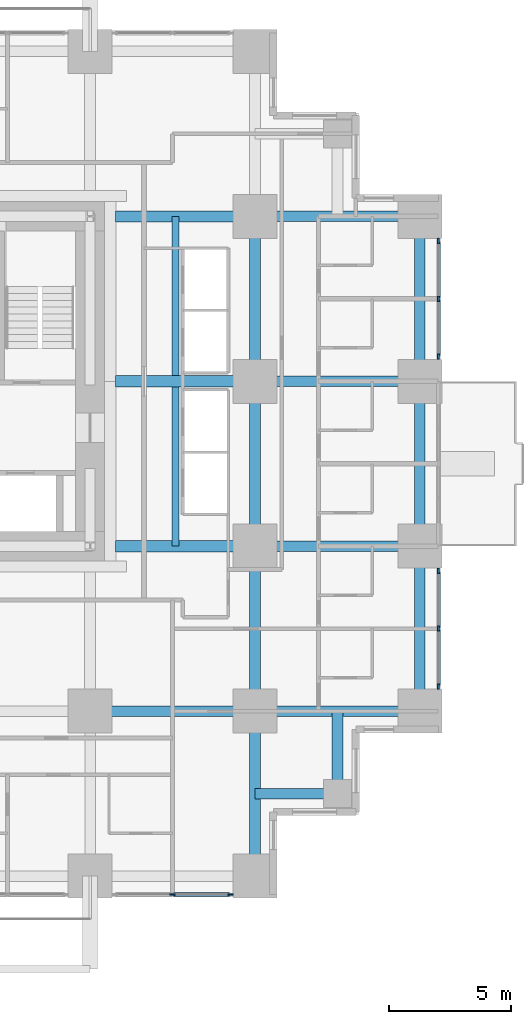
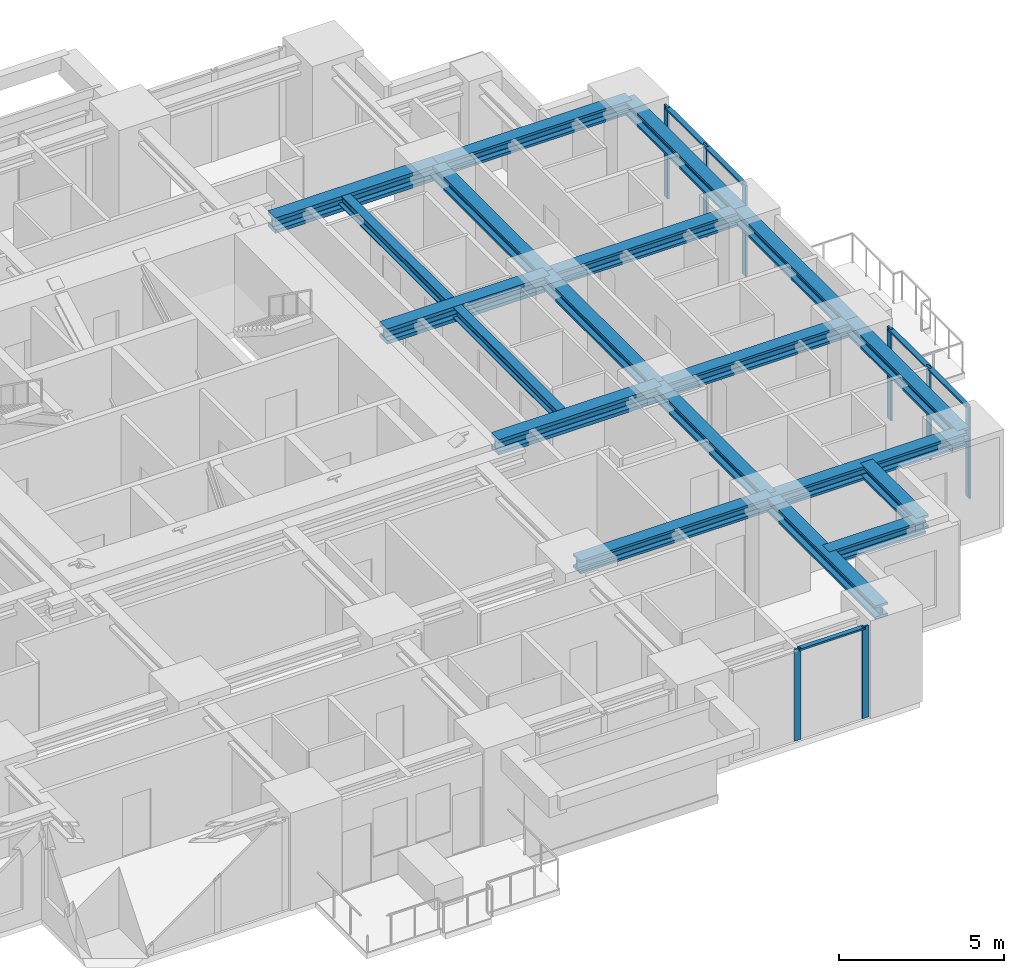
# One storey, part 4 of 13: 19 beams, 13 members, 3 elements without a shape of their own.
"""IFC4 building model written with IfcOpenShell, lengths in metres."""

import ifcopenshell
import ifcopenshell.guid

model = None  # the IFC model being written
_history = None  # IfcOwnerHistory: only IFC2X3 demands one
_inside = {}  # id of a spatial element -> (the spatial element, [elements in it])
_under = {}  # id of a project, library or spatial element -> (it, [spatial elements below it])
_declared = {}  # id of a project -> (the project, [libraries it declares])
_typed = {}  # id of a type object -> (the type object, [elements of that type])
_made_of = {}  # id of a material, layer set ... -> (it, [elements and type objects made of it])


def new_model(schema):
    """Start an empty IFC model of exactly this schema.

    Asked for "IFC4X3", IfcOpenShell would pick the latest addendum, in which some entities
    have other attributes; the version numbers below select the first issue.
    IFC2X3 requires an IfcOwnerHistory on every rooted entity: one is made here for all.
    """
    global model, _history
    if schema == "IFC4X3":
        model = ifcopenshell.file(schema_version=(4, 3, 0, 0))
    else:
        model = ifcopenshell.file(schema=schema)
    _inside.clear()
    _under.clear()
    _declared.clear()
    _typed.clear()
    _made_of.clear()
    _history = None
    if model.schema == "IFC2X3":
        org = make("IfcOrganization", Name="unknown")
        user = make(
            "IfcPersonAndOrganization",
            ThePerson=make("IfcPerson", FamilyName="unknown"),
            TheOrganization=org,
        )
        app = make(
            "IfcApplication",
            ApplicationDeveloper=org,
            Version="unknown",
            ApplicationFullName="unknown",
            ApplicationIdentifier="unknown",
        )
        _history = make(
            "IfcOwnerHistory",
            OwningUser=user,
            OwningApplication=app,
            ChangeAction="ADDED",
            CreationDate=0,
        )
    return model


def make(cls, **values):
    """One entity of the class cls with the attributes given. An attribute that is None is left unset."""
    return model.create_entity(
        cls, **{name: value for name, value in values.items() if value is not None}
    )


def rooted(cls, **values):
    """An entity with a GlobalId (a new one), such as an element, a storey or a relation."""
    return make(cls, GlobalId=ifcopenshell.guid.new(), OwnerHistory=_history, **values)


def si_unit(unit_type, name, prefix=None):
    """IfcSIUnit, for example si_unit("LENGTHUNIT", "METRE", prefix="MILLI")."""
    return make("IfcSIUnit", UnitType=unit_type, Prefix=prefix, Name=name)


def assignment(units):
    """IfcUnitAssignment: the units of a project."""
    return None if units is None else make("IfcUnitAssignment", Units=units)


def point(xyz):
    """IfcCartesianPoint."""
    return None if xyz is None else make("IfcCartesianPoint", Coordinates=xyz)


def direction(xyz):
    """IfcDirection."""
    return None if xyz is None else make("IfcDirection", DirectionRatios=xyz)


def frame(location, z_axis=None, x_axis=None):
    """IfcAxis2Placement3D, a coordinate frame: its origin and axes. An axis left out is left unset."""
    return make(
        "IfcAxis2Placement3D",
        Location=point(location),
        Axis=direction(z_axis),
        RefDirection=direction(x_axis),
    )


def frame_2d(location, x_axis=None):
    """IfcAxis2Placement2D, a coordinate frame in the plane: its origin and x axis."""
    return make(
        "IfcAxis2Placement2D", Location=point(location), RefDirection=direction(x_axis)
    )


def origin():
    """The frame at (0, 0, 0) with its axes left unset."""
    return frame((0.0, 0.0, 0.0))


def origin_2d():
    """The frame at (0, 0) in the plane with its x axis left unset."""
    return frame_2d((0.0, 0.0))


def place(relative_to, where):
    """IfcLocalPlacement: puts the frame where relative to a parent placement (None: the world)."""
    return make(
        "IfcLocalPlacement", PlacementRelTo=relative_to, RelativePlacement=where
    )


def context(
    kind, dimensions, precision=None, world=None, true_north=None, identifier=None
):
    """IfcGeometricRepresentationContext, for example the 3D "Model" context."""
    return make(
        "IfcGeometricRepresentationContext",
        ContextIdentifier=identifier,
        ContextType=kind,
        CoordinateSpaceDimension=dimensions,
        Precision=precision,
        WorldCoordinateSystem=world,
        TrueNorth=true_north,
    )


def subcontext(parent, identifier, kind, view, scale=None):
    """IfcGeometricRepresentationSubContext, for example "Body" below "Model"."""
    return make(
        "IfcGeometricRepresentationSubContext",
        ContextIdentifier=identifier,
        ContextType=kind,
        ParentContext=parent,
        TargetScale=scale,
        TargetView=view,
    )


def project(units=None, contexts=None):
    """IfcProject with its units and contexts."""
    return rooted(
        "IfcProject",
        Name="project",
        RepresentationContexts=contexts,
        UnitsInContext=assignment(units),
    )


def spatial(cls, under=None, at=None, **own):
    """A site, building, storey or space (cls), placed at a placement, below another one or the project."""
    s = rooted(cls, ObjectPlacement=at, **own)
    if under is not None:
        _under.setdefault(under.id(), (under, []))[1].append(s)
    return s


def profile(cls, at=None, kind="AREA", **sizes):
    """A parametric profile (cls). Its sizes go by their IFC names, for example OverallWidth=200.0."""
    return make(cls, ProfileType=kind, Position=at, **sizes)


def rectangle(**sizes):
    """IfcRectangleProfileDef."""
    return profile("IfcRectangleProfileDef", **sizes)


def i_section(**sizes):
    """IfcIShapeProfileDef."""
    return profile("IfcIShapeProfileDef", **sizes)


def extrude(swept, where, along, depth):
    """IfcExtrudedAreaSolid: the profile swept, set in the frame where, extruded along a direction by depth."""
    return make(
        "IfcExtrudedAreaSolid",
        SweptArea=swept,
        Position=where,
        ExtrudedDirection=direction(along),
        Depth=depth,
    )


def shape(context_of_items, identifier, shape_type, items):
    """IfcShapeRepresentation: the items that make up one representation, for example the "Body"."""
    return make(
        "IfcShapeRepresentation",
        ContextOfItems=context_of_items,
        RepresentationIdentifier=identifier,
        RepresentationType=shape_type,
        Items=items,
    )


def material(Name=None, Category=None):
    """IfcMaterial."""
    return make("IfcMaterial", Name=Name, Category=Category)


def material_profile(
    of_material, cross_section, Name=None, Category=None, Priority=None
):
    """IfcMaterialProfile: a cross section and its material."""
    return make(
        "IfcMaterialProfile",
        Name=Name,
        Material=of_material,
        Profile=cross_section,
        Priority=Priority,
        Category=Category,
    )


def profile_set(profiles, Name=None, composite=None):
    """IfcMaterialProfileSet."""
    return make(
        "IfcMaterialProfileSet",
        Name=Name,
        MaterialProfiles=profiles,
        CompositeProfile=composite,
    )


def made_of(thing, what):
    """Note that an element or type object is made of a material, layer set ...; save() writes the relation."""
    if what is not None:
        _made_of.setdefault(what.id(), (what, []))[1].append(thing)
    return thing


def type_object(cls, material=None, **own):
    """A type object (cls), such as IfcWallType, which elements share."""
    return made_of(rooted(cls, **own), material)


def element(
    cls,
    number,
    at=None,
    inside=None,
    cuts=None,
    type_object=None,
    material=None,
    context=None,
    identifier="Body",
    shape_type=None,
    held_by="IfcProductDefinitionShape",
    body=None,
    shapes=None,
    **own,
):
    """One element of the class cls, such as IfcWall. Its Tag is "e" and its number.

    at: its placement. inside: the storey or other place that contains it. cuts: it is an
    opening in that element (IfcRelVoidsElement). A single representation is given by context,
    identifier, shape_type and body (its items); several are given by shapes. held_by: the class
    of the entity that holds the representations. save() writes the other relations.
    """
    e = rooted(cls, Tag="e%d" % number, ObjectPlacement=at, **own)
    if body is not None:
        shapes = [shape(context, identifier, shape_type, body)]
    if shapes is not None:
        e.Representation = make(held_by, Representations=shapes)
    if inside is not None:
        _inside.setdefault(inside.id(), (inside, []))[1].append(e)
    if cuts is not None:
        rooted(
            "IfcRelVoidsElement", RelatingBuildingElement=cuts, RelatedOpeningElement=e
        )
    if type_object is not None:
        _typed.setdefault(type_object.id(), (type_object, []))[1].append(e)
    return made_of(e, material)


def aggregate(whole, parts):
    """IfcRelAggregates: a whole, such as a stair, and the parts it consists of."""
    return rooted("IfcRelAggregates", RelatingObject=whole, RelatedObjects=parts)


def save(model, path):
    """Write the relations noted so far, then the file.

    IfcRelAggregates (storeys below a building ...), IfcRelContainedInSpatialStructure (elements
    in a storey), IfcRelDefinesByType, IfcRelAssociatesMaterial and IfcRelDeclares: one each for
    every whole, place, type object, material and project.
    """
    for whole, parts in _under.values():
        aggregate(whole, parts)
    for where, things in _inside.values():
        rooted(
            "IfcRelContainedInSpatialStructure",
            RelatedElements=things,
            RelatingStructure=where,
        )
    for kind, things in _typed.values():
        rooted("IfcRelDefinesByType", RelatedObjects=things, RelatingType=kind)
    for what, things in _made_of.values():
        rooted("IfcRelAssociatesMaterial", RelatedObjects=things, RelatingMaterial=what)
    for by, libraries in _declared.values():
        rooted("IfcRelDeclares", RelatingContext=by, RelatedDefinitions=libraries)
    model.write(path)


model = new_model("IFC4")

# Units and contexts
model_context = context("Model", 3, precision=1e-05, world=origin(), true_north=direction((0.0, 1.0)))
body_context = subcontext(model_context, "Body", "Model", "MODEL_VIEW")
ifc_project = project(units=[si_unit("LENGTHUNIT", "METRE"), si_unit("AREAUNIT", "SQUARE_METRE"), si_unit("VOLUMEUNIT", "CUBIC_METRE"), si_unit("PLANEANGLEUNIT", "RADIAN"), si_unit("MASSUNIT", "GRAM", prefix="KILO")], contexts=[model_context])

# Site, building, storey
site_placement = place(None, origin())
site = spatial("IfcSite", under=ifc_project, at=site_placement, CompositionType="ELEMENT")
building_placement = place(site_placement, origin())
building = spatial("IfcBuilding", under=site, at=building_placement, Name="Nyansa Garden Tower", CompositionType="ELEMENT")
storey_placement = place(building_placement, frame((0.0, 0.0, 94.5)))
storey = spatial("IfcBuildingStorey", under=building, at=storey_placement, Name="L25", CompositionType="ELEMENT", Elevation=94.5)

# Curtain wall, members
ifc_material_1 = material(Name="Black anodised aluminium, dark tinted double glazing", Category="aluminium")
curtain_wall_type = type_object("IfcCurtainWallType", Name="Inner skin curtain wall ISW-B", PredefinedType="USERDEFINED", material=ifc_material_1)
curtain_wall_1_placement = place(storey_placement, origin())
curtain_wall_1 = element("IfcCurtainWall", 1, at=curtain_wall_1_placement, inside=storey, type_object=curtain_wall_type, Name="Inner skin curtain wall L25 E", ObjectType="UNITISED CURTAIN WALL", PredefinedType="USERDEFINED")
ifc_material_2 = material(Name="Black anodised aluminium", Category="aluminium")
ifc_material_profile_1 = material_profile(ifc_material_2, rectangle(XDim=0.06494140625, YDim=0.22509765625, at=origin_2d()), Name="Mullion 225x65")
ifc_profile_set_1 = profile_set([ifc_material_profile_1], Name="Black anodised aluminium")
member_type_1 = type_object("IfcMemberType", Name="Mullion ISW-B 225x65", PredefinedType="MULLION", material=ifc_profile_set_1)
member_1_placement = place(storey_placement, frame((41.25, 7.762451171875, 0.0), z_axis=(0.0, 0.0, 1.0), x_axis=(-1.0, 0.0, 0.0)))
member_1 = element("IfcMember", 2, at=member_1_placement, type_object=member_type_1, Name="ISW-B mullion 1", PredefinedType="MULLION", context=body_context, shape_type="SweptSolid", body=[
    extrude(rectangle(XDim=0.06494140625, YDim=0.22509765625, at=origin_2d()), origin(), (0.0, 0.0, 1.0), 3.375),
])
member_2_placement = place(storey_placement, frame((41.25, 10.125, 0.0), z_axis=(0.0, 0.0, 1.0), x_axis=(-1.0, 0.0, 0.0)))
member_2 = element("IfcMember", 3, at=member_2_placement, type_object=member_type_1, Name="ISW-B mullion 2", PredefinedType="MULLION", context=body_context, shape_type="SweptSolid", body=[
    extrude(rectangle(XDim=0.06494140625, YDim=0.22509765625, at=origin_2d()), origin(), (0.0, 0.0, 1.0), 3.375),
])
member_3_placement = place(storey_placement, frame((41.25, 12.487548828125, 0.0), z_axis=(0.0, 0.0, 1.0), x_axis=(-1.0, 0.0, 0.0)))
member_3 = element("IfcMember", 4, at=member_3_placement, type_object=member_type_1, Name="ISW-B mullion 3", PredefinedType="MULLION", context=body_context, shape_type="SweptSolid", body=[
    extrude(rectangle(XDim=0.06494140625, YDim=0.22509765625, at=origin_2d()), origin(), (0.0, 0.0, 1.0), 3.375),
])

curtain_wall_2_placement = place(storey_placement, origin())
curtain_wall_2 = element("IfcCurtainWall", 5, at=curtain_wall_2_placement, inside=storey, type_object=curtain_wall_type, Name="Inner skin curtain wall L25 E", ObjectType="UNITISED CURTAIN WALL", PredefinedType="USERDEFINED")
member_4_placement = place(storey_placement, frame((41.25, 21.262451171875, 0.0), z_axis=(0.0, 0.0, 1.0), x_axis=(-1.0, 0.0, 0.0)))
member_4 = element("IfcMember", 6, at=member_4_placement, type_object=member_type_1, Name="ISW-B mullion 1", PredefinedType="MULLION", context=body_context, shape_type="SweptSolid", body=[
    extrude(rectangle(XDim=0.06494140625, YDim=0.22509765625, at=origin_2d()), origin(), (0.0, 0.0, 1.0), 3.375),
])
member_5_placement = place(storey_placement, frame((41.25, 23.625, 0.0), z_axis=(0.0, 0.0, 1.0), x_axis=(-1.0, 0.0, 0.0)))
member_5 = element("IfcMember", 7, at=member_5_placement, type_object=member_type_1, Name="ISW-B mullion 2", PredefinedType="MULLION", context=body_context, shape_type="SweptSolid", body=[
    extrude(rectangle(XDim=0.06494140625, YDim=0.22509765625, at=origin_2d()), origin(), (0.0, 0.0, 1.0), 3.375),
])
member_6_placement = place(storey_placement, frame((41.25, 25.987548828125, 0.0), z_axis=(0.0, 0.0, 1.0), x_axis=(-1.0, 0.0, 0.0)))
member_6 = element("IfcMember", 8, at=member_6_placement, type_object=member_type_1, Name="ISW-B mullion 3", PredefinedType="MULLION", context=body_context, shape_type="SweptSolid", body=[
    extrude(rectangle(XDim=0.06494140625, YDim=0.22509765625, at=origin_2d()), origin(), (0.0, 0.0, 1.0), 3.375),
])

curtain_wall_3_placement = place(storey_placement, origin())
curtain_wall_3 = element("IfcCurtainWall", 9, at=curtain_wall_3_placement, inside=storey, type_object=curtain_wall_type, Name="Inner skin curtain wall L25 S", ObjectType="UNITISED CURTAIN WALL", PredefinedType="USERDEFINED")
member_7_placement = place(storey_placement, frame((30.375, -0.75, 0.0), z_axis=(0.0, 0.0, 1.0), x_axis=(0.0, 1.0, 0.0)))
member_7 = element("IfcMember", 10, at=member_7_placement, type_object=member_type_1, Name="ISW-B mullion 2", PredefinedType="MULLION", context=body_context, shape_type="SweptSolid", body=[
    extrude(rectangle(XDim=0.06494140625, YDim=0.22509765625, at=origin_2d()), origin(), (0.0, 0.0, 1.0), 3.375),
])
member_8_placement = place(storey_placement, frame((32.737548828125, -0.75, 0.0), z_axis=(0.0, 0.0, 1.0), x_axis=(0.0, 1.0, 0.0)))
member_8 = element("IfcMember", 11, at=member_8_placement, type_object=member_type_1, Name="ISW-B mullion 3", PredefinedType="MULLION", context=body_context, shape_type="SweptSolid", body=[
    extrude(rectangle(XDim=0.06494140625, YDim=0.22509765625, at=origin_2d()), origin(), (0.0, 0.0, 1.0), 3.375),
])

# Beams
ifc_material_3 = material(Name="Steel S355", Category="steel")
ifc_material_profile_2 = material_profile(ifc_material_3, i_section(OverallWidth=0.431884765625, OverallDepth=0.498046875, WebThickness=0.0556640625, FlangeThickness=0.0888671875, FilletRadius=0.014892578125, at=origin_2d()), Name="HD 400x744")
ifc_profile_set_2 = profile_set([ifc_material_profile_2], Name="Steel S355")
beam_type_1 = type_object("IfcBeamType", Name="Steel beam SBB1-744 HD 400x744", PredefinedType="BEAM", material=ifc_profile_set_2)
for number, where, z_axis, x_axis, name in (
    (12, (27.0, 6.75, 3.1259765625), (1.0, 0.0, 0.0), (0.0, 1.0, 0.0), "Steel beam 6/E-7/E L26"),
    (13, (33.75, 0.0, 3.1259765625), (0.0, 1.0, 0.0), (-1.0, 0.0, 0.0), "Steel beam 7/D-7/E L26"),
    (14, (33.75, 6.75, 3.1259765625), (0.0, 1.0, 0.0), (-1.0, 0.0, 0.0), "Steel beam 7/E-7/F L26"),
    (15, (33.75, 6.75, 3.1259765625), (1.0, 0.0, 0.0), (0.0, 1.0, 0.0), "Steel beam 7/E-8/E L26"),
    (16, (33.75, 13.5, 3.1259765625), (0.0, 1.0, 0.0), (-1.0, 0.0, 0.0), "Steel beam 7/F-7/G L26"),
    (17, (33.75, 13.5, 3.1259765625), (1.0, 0.0, 0.0), (0.0, 1.0, 0.0), "Steel beam 7/F-8/F L26"),
    (18, (33.75, 20.25, 3.1259765625), (0.0, 1.0, 0.0), (-1.0, 0.0, 0.0), "Steel beam 7/G-7/H L26"),
    (19, (33.75, 20.25, 3.1259765625), (1.0, 0.0, 0.0), (0.0, 1.0, 0.0), "Steel beam 7/G-8/G L26"),
    (20, (33.75, 27.0, 3.1259765625), (1.0, 0.0, 0.0), (0.0, 1.0, 0.0), "Steel beam 7/H-8/H L26"),
):
    element("IfcBeam", number, at=place(storey_placement, frame(where, z_axis=z_axis, x_axis=x_axis)), inside=storey, type_object=beam_type_1, Name=name, PredefinedType="BEAM", context=body_context, shape_type="SweptSolid", body=[
        extrude(i_section(OverallWidth=0.431884765625, OverallDepth=0.498046875, WebThickness=0.0556640625, FlangeThickness=0.0888671875, FilletRadius=0.014892578125, at=origin_2d()), origin(), (0.0, 0.0, 1.0), 6.75),
    ])
ifc_material_4 = material(Name="Steel S355", Category="steel")
ifc_material_profile_3 = material_profile(ifc_material_4, i_section(OverallWidth=0.4541015625, OverallDepth=0.569091796875, WebThickness=0.077880859375, FlangeThickness=0.125, FilletRadius=0.014892578125, at=origin_2d()), Name="HD 400x1086")
ifc_profile_set_3 = profile_set([ifc_material_profile_3], Name="Steel S355")
beam_type_2 = type_object("IfcBeamType", Name="Steel beam SCL-1086 HD 400x1086", PredefinedType="BEAM", material=ifc_profile_set_3)
for number, where, z_axis, x_axis, name in (
    (21, (28.050048828125, 13.5, 3.090576171875), (1.0, 0.0, 0.0), (0.0, 1.0, 0.0), "Steel beam 28.050/F-7/F L26"),
    (22, (28.050048828125, 20.25, 3.090576171875), (1.0, 0.0, 0.0), (0.0, 1.0, 0.0), "Steel beam 28.050/G-7/G L26"),
    (23, (28.050048828125, 27.0, 3.090576171875), (1.0, 0.0, 0.0), (0.0, 1.0, 0.0), "Steel beam 28.050/H-7/H L26"),
):
    element("IfcBeam", number, at=place(storey_placement, frame(where, z_axis=z_axis, x_axis=x_axis)), inside=storey, type_object=beam_type_2, Name=name, PredefinedType="BEAM", context=body_context, shape_type="SweptSolid", body=[
        extrude(i_section(OverallWidth=0.4541015625, OverallDepth=0.569091796875, WebThickness=0.077880859375, FlangeThickness=0.125, FilletRadius=0.014892578125, at=origin_2d()), origin(), (0.0, 0.0, 1.0), 5.699951171875),
    ])
ifc_material_5 = material(Name="Steel S355", Category="steel")
ifc_material_profile_4 = material_profile(ifc_material_5, i_section(OverallWidth=0.431884765625, OverallDepth=0.498046875, WebThickness=0.0556640625, FlangeThickness=0.0888671875, FilletRadius=0.014892578125, at=origin_2d()), Name="HD 400x744")
ifc_profile_set_4 = profile_set([ifc_material_profile_4], Name="Steel S355")
beam_type_3 = type_object("IfcBeamType", Name="Steel beam SEBB-744 HD 400x744", PredefinedType="BEAM", material=ifc_profile_set_4)
for number, where, z_axis, x_axis, name in (
    (24, (40.5, 6.75, 3.1259765625), (0.0, 1.0, 0.0), (-1.0, 0.0, 0.0), "Steel edge beam 8/E-8/F L26"),
    (25, (40.5, 13.5, 3.1259765625), (0.0, 1.0, 0.0), (-1.0, 0.0, 0.0), "Steel edge beam 8/F-8/G L26"),
    (26, (40.5, 20.25, 3.1259765625), (0.0, 1.0, 0.0), (-1.0, 0.0, 0.0), "Steel edge beam 8/G-8/H L26"),
):
    element("IfcBeam", number, at=place(storey_placement, frame(where, z_axis=z_axis, x_axis=x_axis)), inside=storey, type_object=beam_type_3, Name=name, PredefinedType="BEAM", context=body_context, shape_type="SweptSolid", body=[
        extrude(i_section(OverallWidth=0.431884765625, OverallDepth=0.498046875, WebThickness=0.0556640625, FlangeThickness=0.0888671875, FilletRadius=0.014892578125, at=origin_2d()), origin(), (0.0, 0.0, 1.0), 6.75),
    ])
ifc_material_6 = material(Name="Steel S355", Category="steel")
ifc_material_profile_5 = material_profile(ifc_material_6, i_section(OverallWidth=0.431884765625, OverallDepth=0.498046875, WebThickness=0.0556640625, FlangeThickness=0.0888671875, FilletRadius=0.014892578125, at=origin_2d()), Name="HD 400x744")
ifc_profile_set_5 = profile_set([ifc_material_profile_5], Name="Steel S355")
beam_type_4 = type_object("IfcBeamType", Name="Steel beam SSB1-744 HD 400x744", PredefinedType="BEAM", material=ifc_profile_set_5)
for number, where, z_axis, x_axis, name in (
    (27, (37.125, 3.375, 3.1259765625), (0.0, 1.0, 0.0), (-1.0, 0.0, 0.0), "Steel step beam 37.125/3.375 L26"),
    (28, (37.125, 3.375, 3.1259765625), (-1.0, 0.0, 0.0), (0.0, -1.0, 0.0), "Steel step beam 37.125/3.375 L26"),
):
    element("IfcBeam", number, at=place(storey_placement, frame(where, z_axis=z_axis, x_axis=x_axis)), inside=storey, type_object=beam_type_4, Name=name, PredefinedType="BEAM", context=body_context, shape_type="SweptSolid", body=[
        extrude(i_section(OverallWidth=0.431884765625, OverallDepth=0.498046875, WebThickness=0.0556640625, FlangeThickness=0.0888671875, FilletRadius=0.014892578125, at=origin_2d()), origin(), (0.0, 0.0, 1.0), 3.375),
    ])

# Member
ifc_material_7 = material(Name="Black anodised aluminium", Category="aluminium")
ifc_material_profile_6 = material_profile(ifc_material_7, rectangle(XDim=0.1650390625, YDim=0.06494140625, at=origin_2d()), Name="Transom 165x65")
ifc_profile_set_6 = profile_set([ifc_material_profile_6], Name="Black anodised aluminium")
member_type_2 = type_object("IfcMemberType", Name="Transom ISW-B 165x65", PredefinedType="USERDEFINED", material=ifc_profile_set_6)
member_9_placement = place(storey_placement, frame((41.25, 7.794921875, 3.342529296875), z_axis=(0.0, 1.0, 0.0), x_axis=(-1.0, 0.0, 0.0)))
member_9 = element("IfcMember", 29, at=member_9_placement, type_object=member_type_2, Name="ISW-B transom 1", ObjectType="TRANSOM", PredefinedType="USERDEFINED", context=body_context, shape_type="SweptSolid", body=[
    extrude(rectangle(XDim=0.1650390625, YDim=0.06494140625, at=origin_2d()), origin(), (0.0, 0.0, 1.0), 2.297607421875),
])

member_10_placement = place(storey_placement, frame((41.25, 10.157470703125, 3.342529296875), z_axis=(0.0, 1.0, 0.0), x_axis=(-1.0, 0.0, 0.0)))
member_10 = element("IfcMember", 30, at=member_10_placement, type_object=member_type_2, Name="ISW-B transom 2", ObjectType="TRANSOM", PredefinedType="USERDEFINED", context=body_context, shape_type="SweptSolid", body=[
    extrude(rectangle(XDim=0.1650390625, YDim=0.06494140625, at=origin_2d()), origin(), (0.0, 0.0, 1.0), 2.297607421875),
])

aggregate(curtain_wall_1, [member_1, member_2, member_3, member_9, member_10])

member_11_placement = place(storey_placement, frame((41.25, 21.294921875, 3.342529296875), z_axis=(0.0, 1.0, 0.0), x_axis=(-1.0, 0.0, 0.0)))
member_11 = element("IfcMember", 31, at=member_11_placement, type_object=member_type_2, Name="ISW-B transom 1", ObjectType="TRANSOM", PredefinedType="USERDEFINED", context=body_context, shape_type="SweptSolid", body=[
    extrude(rectangle(XDim=0.1650390625, YDim=0.06494140625, at=origin_2d()), origin(), (0.0, 0.0, 1.0), 2.297607421875),
])

member_12_placement = place(storey_placement, frame((41.25, 23.657470703125, 3.342529296875), z_axis=(0.0, 1.0, 0.0), x_axis=(-1.0, 0.0, 0.0)))
member_12 = element("IfcMember", 32, at=member_12_placement, type_object=member_type_2, Name="ISW-B transom 2", ObjectType="TRANSOM", PredefinedType="USERDEFINED", context=body_context, shape_type="SweptSolid", body=[
    extrude(rectangle(XDim=0.1650390625, YDim=0.06494140625, at=origin_2d()), origin(), (0.0, 0.0, 1.0), 2.297607421875),
])

aggregate(curtain_wall_2, [member_4, member_5, member_6, member_11, member_12])

member_13_placement = place(storey_placement, frame((30.407470703125, -0.75, 3.342529296875), z_axis=(1.0, 0.0, 0.0), x_axis=(0.0, 1.0, 0.0)))
member_13 = element("IfcMember", 33, at=member_13_placement, type_object=member_type_2, Name="ISW-B transom 2", ObjectType="TRANSOM", PredefinedType="USERDEFINED", context=body_context, shape_type="SweptSolid", body=[
    extrude(rectangle(XDim=0.1650390625, YDim=0.06494140625, at=origin_2d()), origin(), (0.0, 0.0, 1.0), 2.297607421875),
])

aggregate(curtain_wall_3, [member_7, member_8, member_13])

# Beams
ifc_material_8 = material(Name="Steel S355", Category="steel")
ifc_material_profile_7 = material_profile(ifc_material_8, i_section(OverallWidth=0.300048828125, OverallDepth=0.39990234375, WebThickness=0.013427734375, FlangeThickness=0.02392578125, FilletRadius=0.027099609375, at=origin_2d()), Name="HE 400 B")
ifc_profile_set_7 = profile_set([ifc_material_profile_7], Name="Steel S355")
beam_type_5 = type_object("IfcBeamType", Name="Trimmer beam TR1 HE 400 B", PredefinedType="BEAM", material=ifc_profile_set_7)
for number, where, z_axis, x_axis, name in (
    (34, (30.5, 13.5, 3.175048828125), (0.0, 1.0, 0.0), (-1.0, 0.0, 0.0), "Trimmer beam 1 L26"),
    (35, (30.5, 20.47705078125, 3.175048828125), (0.0, 1.0, 0.0), (-1.0, 0.0, 0.0), "Trimmer beam 2 L26"),
):
    element("IfcBeam", number, at=place(storey_placement, frame(where, z_axis=z_axis, x_axis=x_axis)), inside=storey, type_object=beam_type_5, Name=name, PredefinedType="BEAM", context=body_context, shape_type="SweptSolid", body=[
        extrude(i_section(OverallWidth=0.300048828125, OverallDepth=0.39990234375, WebThickness=0.013427734375, FlangeThickness=0.02392578125, FilletRadius=0.027099609375, at=origin_2d()), origin(), (0.0, 0.0, 1.0), 6.52294921875),
    ])

save(model, "model.ifc")
